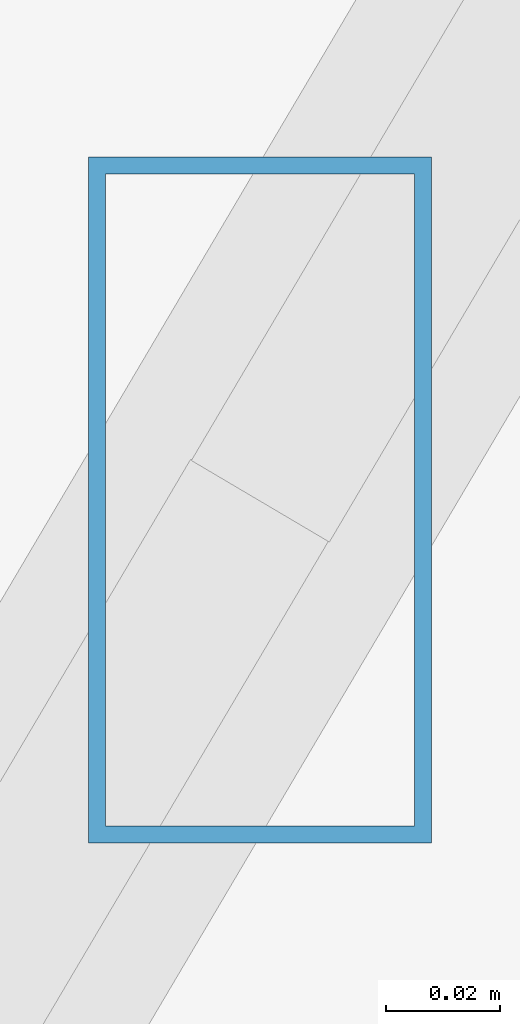
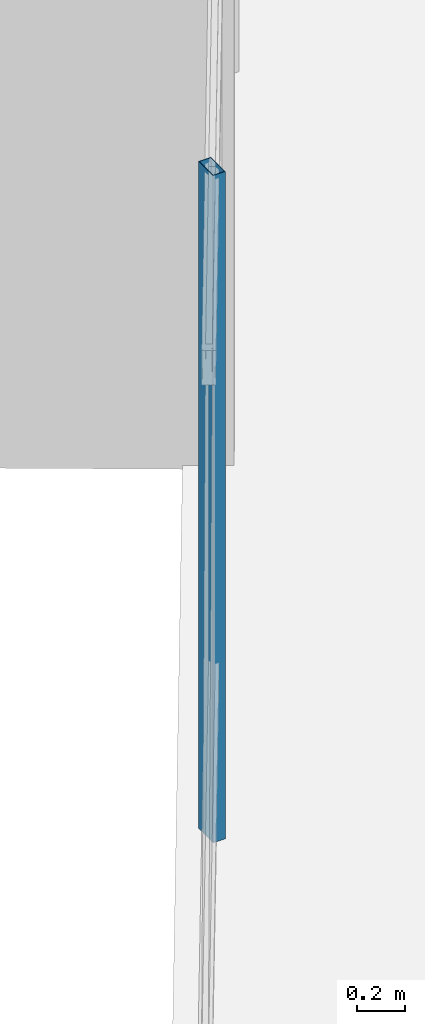
# One storey, part 33 of 48: 1 member, 1 element without a shape of its own.
"""IFC4 building model written with IfcOpenShell, lengths in metres."""

from ifc_helpers import new_model, si_unit, direction, frame, origin, origin_2d, place, context, subcontext, project, spatial, hollow_rectangle, extrude, source, transform, mapped, material, material_profile, profile_set, type_object, type_shapes, element, aggregate, save


model = new_model("IFC4")

# Units and contexts
model_context = context("Model", 3, precision=1e-05, world=origin(), true_north=direction((0.0, 1.0)))
body_context = subcontext(model_context, "Body", "Model", "MODEL_VIEW")
ifc_project = project(units=[si_unit("LENGTHUNIT", "METRE"), si_unit("AREAUNIT", "SQUARE_METRE"), si_unit("VOLUMEUNIT", "CUBIC_METRE"), si_unit("PLANEANGLEUNIT", "RADIAN"), si_unit("MASSUNIT", "GRAM", prefix="KILO")], contexts=[model_context])

# Site, building, storey
site_placement = place(None, origin())
site = spatial("IfcSite", under=ifc_project, at=site_placement, CompositionType="ELEMENT")
building_placement = place(site_placement, origin())
building = spatial("IfcBuilding", under=site, at=building_placement, Name="Caelisora Broadcast Tower", CompositionType="ELEMENT")
storey_placement = place(building_placement, frame((0.0, 0.0, 277.300048828125)))
storey = spatial("IfcBuildingStorey", under=building, at=storey_placement, Name="L73", CompositionType="ELEMENT", Elevation=277.300048828125)

# Curtain wall, member
ifc_material_1 = material(Name="Unitised Aluminium and Low-E Glass Curtain Wall", Category="glass")
curtain_wall_type = type_object("IfcCurtainWallType", Name="CW-Z5", PredefinedType="NOTDEFINED", material=ifc_material_1)
curtain_wall_placement = place(storey_placement, origin())
curtain_wall = element("IfcCurtainWall", 1, at=curtain_wall_placement, inside=storey, type_object=curtain_wall_type, Name="L73 curtain wall CW-Z5", PredefinedType="NOTDEFINED")
ifc_material_2 = material(Name="Aluminium 6063-T6 Anodised Terracotta Bronze", Category="aluminium")
ifc_material_profile = material_profile(ifc_material_2, hollow_rectangle(XDim=0.06005859375, YDim=0.1201171875, WallThickness=0.0029296875, at=origin_2d()), Name="Aluminium 6063-T6 Anodised Terracotta Bronze")
ifc_profile_set = profile_set([ifc_material_profile], Name="Aluminium 6063-T6 Anodised Terracotta Bronze")
member_type = type_object("IfcMemberType", Name="CWM-04", PredefinedType="MULLION", material=ifc_profile_set)
shared_shape = source(origin(), body_context, "Body", "SweptSolid", [
    extrude(hollow_rectangle(XDim=0.06005859375, YDim=0.1201171875, WallThickness=0.0029296875, at=origin_2d()), origin(), (0.0, 0.0, 1.0), 3.39990234375),
])
type_shapes(member_type, [shared_shape])
member_placement = place(storey_placement, frame((30.590087890625, 42.365234375, 0.0), z_axis=(0.0, 0.0, 1.0), x_axis=(1.0, 0.0, 0.0)))
member = element("IfcMember", 2, at=member_placement, type_object=member_type, Name="L73-CW-B11 mullion #1", PredefinedType="MULLION", context=body_context, shape_type="MappedRepresentation", body=[
    mapped(shared_shape, transform((0.0, 0.0, 0.0), scale=1.0)),
])
aggregate(curtain_wall, [member])

save(model, "model.ifc")
